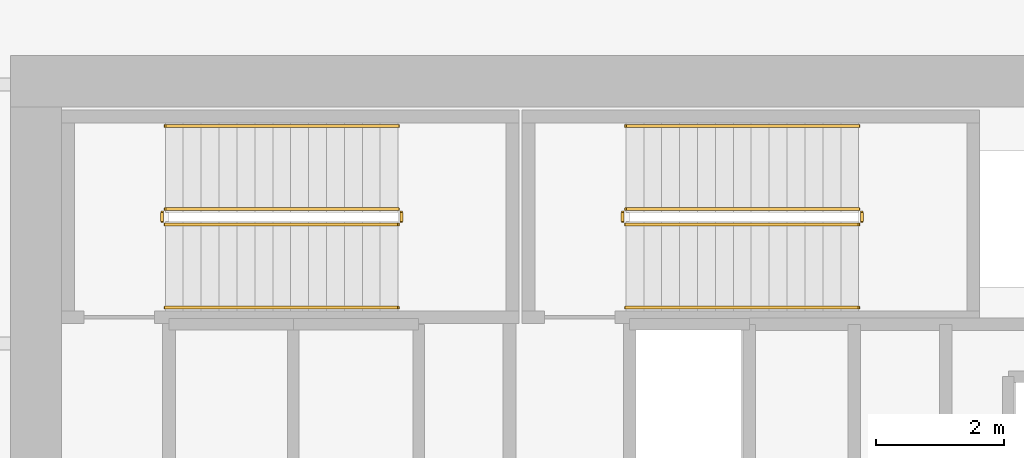
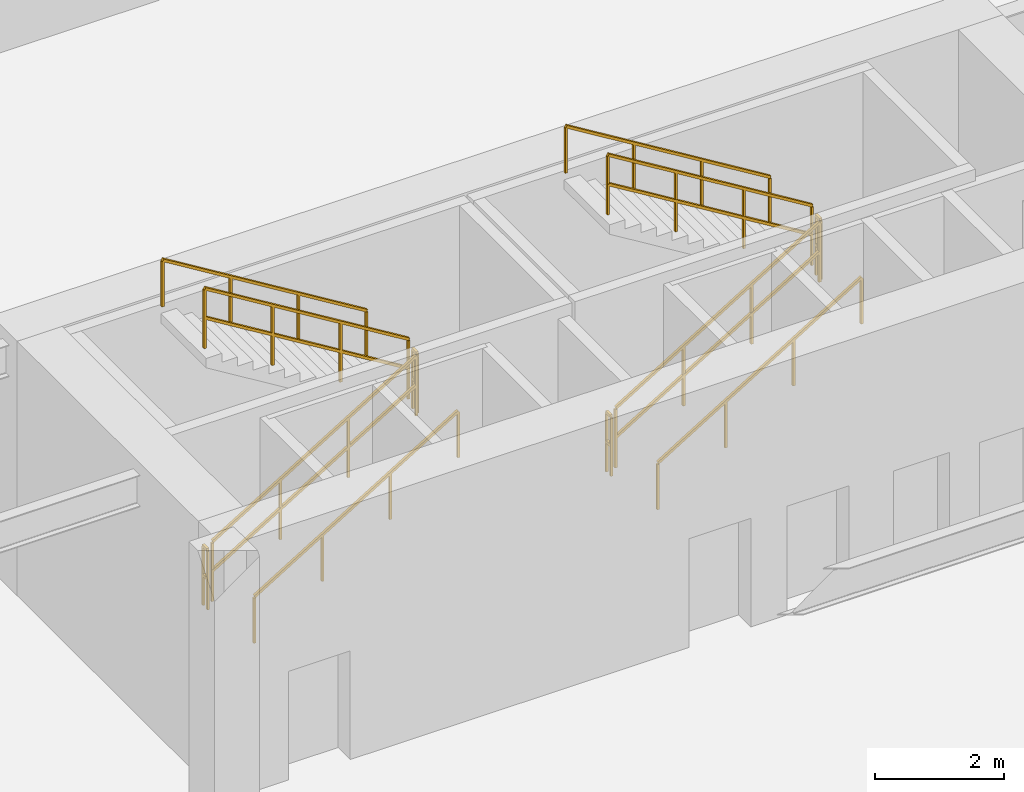
# One storey, part 7 of 10: 12 railings.
"""IFC4 building model written with IfcOpenShell, lengths in metres."""

import ifcopenshell
import ifcopenshell.guid

model = None  # the IFC model being written
_history = None  # IfcOwnerHistory: only IFC2X3 demands one
_inside = {}  # id of a spatial element -> (the spatial element, [elements in it])
_under = {}  # id of a project, library or spatial element -> (it, [spatial elements below it])
_declared = {}  # id of a project -> (the project, [libraries it declares])
_typed = {}  # id of a type object -> (the type object, [elements of that type])
_made_of = {}  # id of a material, layer set ... -> (it, [elements and type objects made of it])


def new_model(schema):
    """Start an empty IFC model of exactly this schema.

    Asked for "IFC4X3", IfcOpenShell would pick the latest addendum, in which some entities
    have other attributes; the version numbers below select the first issue.
    IFC2X3 requires an IfcOwnerHistory on every rooted entity: one is made here for all.
    """
    global model, _history
    if schema == "IFC4X3":
        model = ifcopenshell.file(schema_version=(4, 3, 0, 0))
    else:
        model = ifcopenshell.file(schema=schema)
    _inside.clear()
    _under.clear()
    _declared.clear()
    _typed.clear()
    _made_of.clear()
    _history = None
    if model.schema == "IFC2X3":
        org = make("IfcOrganization", Name="unknown")
        user = make(
            "IfcPersonAndOrganization",
            ThePerson=make("IfcPerson", FamilyName="unknown"),
            TheOrganization=org,
        )
        app = make(
            "IfcApplication",
            ApplicationDeveloper=org,
            Version="unknown",
            ApplicationFullName="unknown",
            ApplicationIdentifier="unknown",
        )
        _history = make(
            "IfcOwnerHistory",
            OwningUser=user,
            OwningApplication=app,
            ChangeAction="ADDED",
            CreationDate=0,
        )
    return model


def make(cls, **values):
    """One entity of the class cls with the attributes given. An attribute that is None is left unset."""
    return model.create_entity(
        cls, **{name: value for name, value in values.items() if value is not None}
    )


def rooted(cls, **values):
    """An entity with a GlobalId (a new one), such as an element, a storey or a relation."""
    return make(cls, GlobalId=ifcopenshell.guid.new(), OwnerHistory=_history, **values)


def si_unit(unit_type, name, prefix=None):
    """IfcSIUnit, for example si_unit("LENGTHUNIT", "METRE", prefix="MILLI")."""
    return make("IfcSIUnit", UnitType=unit_type, Prefix=prefix, Name=name)


def assignment(units):
    """IfcUnitAssignment: the units of a project."""
    return None if units is None else make("IfcUnitAssignment", Units=units)


def point(xyz):
    """IfcCartesianPoint."""
    return None if xyz is None else make("IfcCartesianPoint", Coordinates=xyz)


def direction(xyz):
    """IfcDirection."""
    return None if xyz is None else make("IfcDirection", DirectionRatios=xyz)


def frame(location, z_axis=None, x_axis=None):
    """IfcAxis2Placement3D, a coordinate frame: its origin and axes. An axis left out is left unset."""
    return make(
        "IfcAxis2Placement3D",
        Location=point(location),
        Axis=direction(z_axis),
        RefDirection=direction(x_axis),
    )


def frame_2d(location, x_axis=None):
    """IfcAxis2Placement2D, a coordinate frame in the plane: its origin and x axis."""
    return make(
        "IfcAxis2Placement2D", Location=point(location), RefDirection=direction(x_axis)
    )


def origin():
    """The frame at (0, 0, 0) with its axes left unset."""
    return frame((0.0, 0.0, 0.0))


def origin_2d():
    """The frame at (0, 0) in the plane with its x axis left unset."""
    return frame_2d((0.0, 0.0))


def place(relative_to, where):
    """IfcLocalPlacement: puts the frame where relative to a parent placement (None: the world)."""
    return make(
        "IfcLocalPlacement", PlacementRelTo=relative_to, RelativePlacement=where
    )


def context(
    kind, dimensions, precision=None, world=None, true_north=None, identifier=None
):
    """IfcGeometricRepresentationContext, for example the 3D "Model" context."""
    return make(
        "IfcGeometricRepresentationContext",
        ContextIdentifier=identifier,
        ContextType=kind,
        CoordinateSpaceDimension=dimensions,
        Precision=precision,
        WorldCoordinateSystem=world,
        TrueNorth=true_north,
    )


def subcontext(parent, identifier, kind, view, scale=None):
    """IfcGeometricRepresentationSubContext, for example "Body" below "Model"."""
    return make(
        "IfcGeometricRepresentationSubContext",
        ContextIdentifier=identifier,
        ContextType=kind,
        ParentContext=parent,
        TargetScale=scale,
        TargetView=view,
    )


def project(units=None, contexts=None):
    """IfcProject with its units and contexts."""
    return rooted(
        "IfcProject",
        Name="project",
        RepresentationContexts=contexts,
        UnitsInContext=assignment(units),
    )


def spatial(cls, under=None, at=None, **own):
    """A site, building, storey or space (cls), placed at a placement, below another one or the project."""
    s = rooted(cls, ObjectPlacement=at, **own)
    if under is not None:
        _under.setdefault(under.id(), (under, []))[1].append(s)
    return s


def profile(cls, at=None, kind="AREA", **sizes):
    """A parametric profile (cls). Its sizes go by their IFC names, for example OverallWidth=200.0."""
    return make(cls, ProfileType=kind, Position=at, **sizes)


def rectangle(**sizes):
    """IfcRectangleProfileDef."""
    return profile("IfcRectangleProfileDef", **sizes)


def extrude(swept, where, along, depth):
    """IfcExtrudedAreaSolid: the profile swept, set in the frame where, extruded along a direction by depth."""
    return make(
        "IfcExtrudedAreaSolid",
        SweptArea=swept,
        Position=where,
        ExtrudedDirection=direction(along),
        Depth=depth,
    )


def shape(context_of_items, identifier, shape_type, items):
    """IfcShapeRepresentation: the items that make up one representation, for example the "Body"."""
    return make(
        "IfcShapeRepresentation",
        ContextOfItems=context_of_items,
        RepresentationIdentifier=identifier,
        RepresentationType=shape_type,
        Items=items,
    )


def material(Name=None, Category=None):
    """IfcMaterial."""
    return make("IfcMaterial", Name=Name, Category=Category)


def made_of(thing, what):
    """Note that an element or type object is made of a material, layer set ...; save() writes the relation."""
    if what is not None:
        _made_of.setdefault(what.id(), (what, []))[1].append(thing)
    return thing


def type_object(cls, material=None, **own):
    """A type object (cls), such as IfcWallType, which elements share."""
    return made_of(rooted(cls, **own), material)


def element(
    cls,
    number,
    at=None,
    inside=None,
    cuts=None,
    type_object=None,
    material=None,
    context=None,
    identifier="Body",
    shape_type=None,
    held_by="IfcProductDefinitionShape",
    body=None,
    shapes=None,
    **own,
):
    """One element of the class cls, such as IfcWall. Its Tag is "e" and its number.

    at: its placement. inside: the storey or other place that contains it. cuts: it is an
    opening in that element (IfcRelVoidsElement). A single representation is given by context,
    identifier, shape_type and body (its items); several are given by shapes. held_by: the class
    of the entity that holds the representations. save() writes the other relations.
    """
    e = rooted(cls, Tag="e%d" % number, ObjectPlacement=at, **own)
    if body is not None:
        shapes = [shape(context, identifier, shape_type, body)]
    if shapes is not None:
        e.Representation = make(held_by, Representations=shapes)
    if inside is not None:
        _inside.setdefault(inside.id(), (inside, []))[1].append(e)
    if cuts is not None:
        rooted(
            "IfcRelVoidsElement", RelatingBuildingElement=cuts, RelatedOpeningElement=e
        )
    if type_object is not None:
        _typed.setdefault(type_object.id(), (type_object, []))[1].append(e)
    return made_of(e, material)


def aggregate(whole, parts):
    """IfcRelAggregates: a whole, such as a stair, and the parts it consists of."""
    return rooted("IfcRelAggregates", RelatingObject=whole, RelatedObjects=parts)


def save(model, path):
    """Write the relations noted so far, then the file.

    IfcRelAggregates (storeys below a building ...), IfcRelContainedInSpatialStructure (elements
    in a storey), IfcRelDefinesByType, IfcRelAssociatesMaterial and IfcRelDeclares: one each for
    every whole, place, type object, material and project.
    """
    for whole, parts in _under.values():
        aggregate(whole, parts)
    for where, things in _inside.values():
        rooted(
            "IfcRelContainedInSpatialStructure",
            RelatedElements=things,
            RelatingStructure=where,
        )
    for kind, things in _typed.values():
        rooted("IfcRelDefinesByType", RelatedObjects=things, RelatingType=kind)
    for what, things in _made_of.values():
        rooted("IfcRelAssociatesMaterial", RelatedObjects=things, RelatingMaterial=what)
    for by, libraries in _declared.values():
        rooted("IfcRelDeclares", RelatingContext=by, RelatedDefinitions=libraries)
    model.write(path)


model = new_model("IFC4")

# Units and contexts
model_context = context("Model", 3, precision=1e-05, world=origin(), true_north=direction((0.0, 1.0)))
body_context = subcontext(model_context, "Body", "Model", "MODEL_VIEW")
ifc_project = project(units=[si_unit("LENGTHUNIT", "METRE"), si_unit("AREAUNIT", "SQUARE_METRE"), si_unit("VOLUMEUNIT", "CUBIC_METRE"), si_unit("PLANEANGLEUNIT", "RADIAN"), si_unit("MASSUNIT", "GRAM", prefix="KILO"), si_unit("THERMODYNAMICTEMPERATUREUNIT", "KELVIN"), si_unit("POWERUNIT", "WATT")], contexts=[model_context])

# Site, building, storey
site_placement = place(None, origin())
site = spatial("IfcSite", under=ifc_project, at=site_placement, CompositionType="ELEMENT")
building_placement = place(site_placement, origin())
building = spatial("IfcBuilding", under=site, at=building_placement, Name="Qiaomeng Ring Towers", CompositionType="ELEMENT")
storey_placement = place(building_placement, frame((0.0, 0.0, -4.800048828125)))
storey = spatial("IfcBuildingStorey", under=building, at=storey_placement, Name="B1", CompositionType="ELEMENT", Elevation=-4.800048828125)

# Railings
ifc_material_1 = material(Name="Galvanised steel", Category="steel")
railing_type_1 = type_object("IfcRailingType", Name="ARC-RL-GUARD", PredefinedType="GUARDRAIL", material=ifc_material_1)
railing_1_placement = place(storey_placement, frame((12.6201171875, 14.360107421875, 0.17138671875)))
element("IfcRailing", 1, at=railing_1_placement, inside=storey, type_object=railing_type_1, Name="B1 ST3 stair guard 1", PredefinedType="GUARDRAIL", context=body_context, shape_type="SweptSolid", body=[
    extrude(rectangle(XDim=0.048095703125, YDim=0.048095703125, at=origin_2d()), frame((0.0, 0.0, 1.1259765625), z_axis=(0.852824790078, 0.0, 0.522197163366), x_axis=(0.0, 1.0, 0.0)), (0.0, 0.0, 1.0), 4.26806640625),
    extrude(rectangle(XDim=0.048095703125, YDim=0.048095703125, at=origin_2d()), frame((0.0, 0.0, 0.574951171875), z_axis=(0.852824790078, 0.0, 0.522197163366), x_axis=(0.0, 1.0, 0.0)), (0.0, 0.0, 1.0), 4.26806640625),
    extrude(rectangle(XDim=0.0419921875, YDim=0.0419921875, at=origin_2d()), origin(), (0.0, 0.0, 1.0), 1.101806640625),
    extrude(rectangle(XDim=0.0419921875, YDim=0.0419921875, at=origin_2d()), frame((1.21337890625, 0.0, 0.742919921875)), (0.0, 0.0, 1.0), 1.101806640625),
    extrude(rectangle(XDim=0.0419921875, YDim=0.0419921875, at=origin_2d()), frame((2.426513671875, 0.0, 1.48583984375)), (0.0, 0.0, 1.0), 1.101806640625),
    extrude(rectangle(XDim=0.0419921875, YDim=0.0419921875, at=origin_2d()), frame((3.639892578125, 0.0, 2.228759765625)), (0.0, 0.0, 1.0), 1.101806640625),
])
railing_2_placement = place(storey_placement, frame((16.31005859375, 14.409912109375, 2.400146484375)))
element("IfcRailing", 2, at=railing_2_placement, inside=storey, type_object=railing_type_1, Name="B1 ST3 stair guard 2", PredefinedType="GUARDRAIL", context=body_context, shape_type="SweptSolid", body=[
    extrude(rectangle(XDim=0.048095703125, YDim=0.048095703125, at=origin_2d()), frame((0.0, 0.0, 1.1259765625), z_axis=(0.0, 1.0, 0.0), x_axis=(-1.0, 0.0, 0.0)), (0.0, 0.0, 1.0), 0.14013671875),
    extrude(rectangle(XDim=0.048095703125, YDim=0.048095703125, at=origin_2d()), frame((0.0, 0.0, 0.574951171875), z_axis=(0.0, 1.0, 0.0), x_axis=(-1.0, 0.0, 0.0)), (0.0, 0.0, 1.0), 0.14013671875),
    extrude(rectangle(XDim=0.0419921875, YDim=0.0419921875, at=origin_2d()), origin(), (0.0, 0.0, 1.0), 1.101806640625),
    extrude(rectangle(XDim=0.0419921875, YDim=0.0419921875, at=origin_2d()), frame((0.0, 0.14013671875, 0.0)), (0.0, 0.0, 1.0), 1.101806640625),
])
railing_3_placement = place(storey_placement, frame((16.260009765625, 14.60009765625, 2.571533203125)))
element("IfcRailing", 3, at=railing_3_placement, inside=storey, type_object=railing_type_1, Name="B1 ST3 stair guard 3", PredefinedType="GUARDRAIL", context=body_context, shape_type="SweptSolid", body=[
    extrude(rectangle(XDim=0.048095703125, YDim=0.048095703125, at=origin_2d()), frame((0.0, 0.0, 1.1259765625), z_axis=(-0.852850264322, 0.0, 0.5221555579), x_axis=(0.0, -1.0, 0.0)), (0.0, 0.0, 1.0), 4.267822265625),
    extrude(rectangle(XDim=0.048095703125, YDim=0.048095703125, at=origin_2d()), frame((0.0, 0.0, 0.574951171875), z_axis=(-0.852850264322, 0.0, 0.5221555579), x_axis=(0.0, -1.0, 0.0)), (0.0, 0.0, 1.0), 4.267822265625),
    extrude(rectangle(XDim=0.0419921875, YDim=0.0419921875, at=origin_2d()), origin(), (0.0, 0.0, 1.0), 1.101806640625),
    extrude(rectangle(XDim=0.0419921875, YDim=0.0419921875, at=origin_2d()), frame((-1.21337890625, 0.0, 0.742919921875)), (0.0, 0.0, 1.0), 1.101806640625),
    extrude(rectangle(XDim=0.0419921875, YDim=0.0419921875, at=origin_2d()), frame((-2.426513671875, 0.0, 1.485595703125)), (0.0, 0.0, 1.0), 1.101806640625),
    extrude(rectangle(XDim=0.0419921875, YDim=0.0419921875, at=origin_2d()), frame((-3.639892578125, 0.0, 2.228515625)), (0.0, 0.0, 1.0), 1.101806640625),
])
railing_4_placement = place(storey_placement, frame((12.570068359375, 14.409912109375, 0.0)))
element("IfcRailing", 4, at=railing_4_placement, inside=storey, type_object=railing_type_1, Name="B1 ST3 stair guard 4", PredefinedType="GUARDRAIL", context=body_context, shape_type="SweptSolid", body=[
    extrude(rectangle(XDim=0.048095703125, YDim=0.048095703125, at=origin_2d()), frame((0.0, 0.0, 1.1259765625), z_axis=(0.0, 1.0, 0.0), x_axis=(-1.0, 0.0, 0.0)), (0.0, 0.0, 1.0), 0.14013671875),
    extrude(rectangle(XDim=0.048095703125, YDim=0.048095703125, at=origin_2d()), frame((0.0, 0.0, 0.574951171875), z_axis=(0.0, 1.0, 0.0), x_axis=(-1.0, 0.0, 0.0)), (0.0, 0.0, 1.0), 0.14013671875),
    extrude(rectangle(XDim=0.0419921875, YDim=0.0419921875, at=origin_2d()), origin(), (0.0, 0.0, 1.0), 1.101806640625),
    extrude(rectangle(XDim=0.0419921875, YDim=0.0419921875, at=origin_2d()), frame((0.0, 0.14013671875, 0.0)), (0.0, 0.0, 1.0), 1.101806640625),
])
railing_5_placement = place(storey_placement, frame((19.820068359375, 14.360107421875, 0.17138671875)))
element("IfcRailing", 5, at=railing_5_placement, inside=storey, type_object=railing_type_1, Name="B1 ST4 stair guard 1", PredefinedType="GUARDRAIL", context=body_context, shape_type="SweptSolid", body=[
    extrude(rectangle(XDim=0.048095703125, YDim=0.048095703125, at=origin_2d()), frame((0.0, 0.0, 1.1259765625), z_axis=(0.852824790078, 0.0, 0.522197163366), x_axis=(0.0, 1.0, 0.0)), (0.0, 0.0, 1.0), 4.26806640625),
    extrude(rectangle(XDim=0.048095703125, YDim=0.048095703125, at=origin_2d()), frame((0.0, 0.0, 0.574951171875), z_axis=(0.852824790078, 0.0, 0.522197163366), x_axis=(0.0, 1.0, 0.0)), (0.0, 0.0, 1.0), 4.26806640625),
    extrude(rectangle(XDim=0.0419921875, YDim=0.0419921875, at=origin_2d()), origin(), (0.0, 0.0, 1.0), 1.101806640625),
    extrude(rectangle(XDim=0.0419921875, YDim=0.0419921875, at=origin_2d()), frame((1.21337890625, 0.0, 0.742919921875)), (0.0, 0.0, 1.0), 1.101806640625),
    extrude(rectangle(XDim=0.0419921875, YDim=0.0419921875, at=origin_2d()), frame((2.426513671875, 0.0, 1.48583984375)), (0.0, 0.0, 1.0), 1.101806640625),
    extrude(rectangle(XDim=0.0419921875, YDim=0.0419921875, at=origin_2d()), frame((3.639892578125, 0.0, 2.228759765625)), (0.0, 0.0, 1.0), 1.101806640625),
])
railing_6_placement = place(storey_placement, frame((23.510009765625, 14.409912109375, 2.400146484375)))
element("IfcRailing", 6, at=railing_6_placement, inside=storey, type_object=railing_type_1, Name="B1 ST4 stair guard 2", PredefinedType="GUARDRAIL", context=body_context, shape_type="SweptSolid", body=[
    extrude(rectangle(XDim=0.048095703125, YDim=0.048095703125, at=origin_2d()), frame((0.0, 0.0, 1.1259765625), z_axis=(0.0, 1.0, 0.0), x_axis=(-1.0, 0.0, 0.0)), (0.0, 0.0, 1.0), 0.14013671875),
    extrude(rectangle(XDim=0.048095703125, YDim=0.048095703125, at=origin_2d()), frame((0.0, 0.0, 0.574951171875), z_axis=(0.0, 1.0, 0.0), x_axis=(-1.0, 0.0, 0.0)), (0.0, 0.0, 1.0), 0.14013671875),
    extrude(rectangle(XDim=0.0419921875, YDim=0.0419921875, at=origin_2d()), origin(), (0.0, 0.0, 1.0), 1.101806640625),
    extrude(rectangle(XDim=0.0419921875, YDim=0.0419921875, at=origin_2d()), frame((0.0, 0.14013671875, 0.0)), (0.0, 0.0, 1.0), 1.101806640625),
])
railing_7_placement = place(storey_placement, frame((23.4599609375, 14.60009765625, 2.571533203125)))
element("IfcRailing", 7, at=railing_7_placement, inside=storey, type_object=railing_type_1, Name="B1 ST4 stair guard 3", PredefinedType="GUARDRAIL", context=body_context, shape_type="SweptSolid", body=[
    extrude(rectangle(XDim=0.048095703125, YDim=0.048095703125, at=origin_2d()), frame((0.0, 0.0, 1.1259765625), z_axis=(-0.852850264322, 0.0, 0.5221555579), x_axis=(0.0, -1.0, 0.0)), (0.0, 0.0, 1.0), 4.267822265625),
    extrude(rectangle(XDim=0.048095703125, YDim=0.048095703125, at=origin_2d()), frame((0.0, 0.0, 0.574951171875), z_axis=(-0.852850264322, 0.0, 0.5221555579), x_axis=(0.0, -1.0, 0.0)), (0.0, 0.0, 1.0), 4.267822265625),
    extrude(rectangle(XDim=0.0419921875, YDim=0.0419921875, at=origin_2d()), origin(), (0.0, 0.0, 1.0), 1.101806640625),
    extrude(rectangle(XDim=0.0419921875, YDim=0.0419921875, at=origin_2d()), frame((-1.21337890625, 0.0, 0.742919921875)), (0.0, 0.0, 1.0), 1.101806640625),
    extrude(rectangle(XDim=0.0419921875, YDim=0.0419921875, at=origin_2d()), frame((-2.426513671875, 0.0, 1.485595703125)), (0.0, 0.0, 1.0), 1.101806640625),
    extrude(rectangle(XDim=0.0419921875, YDim=0.0419921875, at=origin_2d()), frame((-3.639892578125, 0.0, 2.228515625)), (0.0, 0.0, 1.0), 1.101806640625),
])
railing_8_placement = place(storey_placement, frame((19.77001953125, 14.409912109375, 0.0)))
element("IfcRailing", 8, at=railing_8_placement, inside=storey, type_object=railing_type_1, Name="B1 ST4 stair guard 4", PredefinedType="GUARDRAIL", context=body_context, shape_type="SweptSolid", body=[
    extrude(rectangle(XDim=0.048095703125, YDim=0.048095703125, at=origin_2d()), frame((0.0, 0.0, 1.1259765625), z_axis=(0.0, 1.0, 0.0), x_axis=(-1.0, 0.0, 0.0)), (0.0, 0.0, 1.0), 0.14013671875),
    extrude(rectangle(XDim=0.048095703125, YDim=0.048095703125, at=origin_2d()), frame((0.0, 0.0, 0.574951171875), z_axis=(0.0, 1.0, 0.0), x_axis=(-1.0, 0.0, 0.0)), (0.0, 0.0, 1.0), 0.14013671875),
    extrude(rectangle(XDim=0.0419921875, YDim=0.0419921875, at=origin_2d()), origin(), (0.0, 0.0, 1.0), 1.101806640625),
    extrude(rectangle(XDim=0.0419921875, YDim=0.0419921875, at=origin_2d()), frame((0.0, 0.14013671875, 0.0)), (0.0, 0.0, 1.0), 1.101806640625),
])
ifc_material_2 = material(Name="Stainless steel 316", Category="steel")
railing_type_2 = type_object("IfcRailingType", Name="ARC-RL-HAND", PredefinedType="HANDRAIL", material=ifc_material_2)
railing_9_placement = place(storey_placement, frame((12.6201171875, 13.06005859375, 0.17138671875)))
element("IfcRailing", 9, at=railing_9_placement, inside=storey, type_object=railing_type_2, Name="B1 ST3 stair handrail 1", PredefinedType="HANDRAIL", context=body_context, shape_type="SweptSolid", body=[
    extrude(rectangle(XDim=0.048095703125, YDim=0.048095703125, at=origin_2d()), frame((0.0, 0.0, 0.8759765625), z_axis=(0.852824790078, 0.0, 0.522197163366), x_axis=(0.0, 1.0, 0.0)), (0.0, 0.0, 1.0), 4.26806640625),
    extrude(rectangle(XDim=0.0419921875, YDim=0.0419921875, at=origin_2d()), origin(), (0.0, 0.0, 1.0), 0.851806640625),
    extrude(rectangle(XDim=0.0419921875, YDim=0.0419921875, at=origin_2d()), frame((1.21337890625, 0.0, 0.742919921875)), (0.0, 0.0, 1.0), 0.851806640625),
    extrude(rectangle(XDim=0.0419921875, YDim=0.0419921875, at=origin_2d()), frame((2.426513671875, 0.0, 1.48583984375)), (0.0, 0.0, 1.0), 0.851806640625),
    extrude(rectangle(XDim=0.0419921875, YDim=0.0419921875, at=origin_2d()), frame((3.639892578125, 0.0, 2.228759765625)), (0.0, 0.0, 1.0), 0.851806640625),
])
railing_10_placement = place(storey_placement, frame((16.260009765625, 15.89990234375, 2.571533203125)))
element("IfcRailing", 10, at=railing_10_placement, inside=storey, type_object=railing_type_2, Name="B1 ST3 stair handrail 2", PredefinedType="HANDRAIL", context=body_context, shape_type="SweptSolid", body=[
    extrude(rectangle(XDim=0.048095703125, YDim=0.048095703125, at=origin_2d()), frame((0.0, 0.0, 0.8759765625), z_axis=(-0.852850264322, 0.0, 0.5221555579), x_axis=(0.0, -1.0, 0.0)), (0.0, 0.0, 1.0), 4.267822265625),
    extrude(rectangle(XDim=0.0419921875, YDim=0.0419921875, at=origin_2d()), origin(), (0.0, 0.0, 1.0), 0.851806640625),
    extrude(rectangle(XDim=0.0419921875, YDim=0.0419921875, at=origin_2d()), frame((-1.21337890625, 0.0, 0.742919921875)), (0.0, 0.0, 1.0), 0.851806640625),
    extrude(rectangle(XDim=0.0419921875, YDim=0.0419921875, at=origin_2d()), frame((-2.426513671875, 0.0, 1.485595703125)), (0.0, 0.0, 1.0), 0.851806640625),
    extrude(rectangle(XDim=0.0419921875, YDim=0.0419921875, at=origin_2d()), frame((-3.639892578125, 0.0, 2.228515625)), (0.0, 0.0, 1.0), 0.851806640625),
])
railing_11_placement = place(storey_placement, frame((19.820068359375, 13.06005859375, 0.17138671875)))
element("IfcRailing", 11, at=railing_11_placement, inside=storey, type_object=railing_type_2, Name="B1 ST4 stair handrail 1", PredefinedType="HANDRAIL", context=body_context, shape_type="SweptSolid", body=[
    extrude(rectangle(XDim=0.048095703125, YDim=0.048095703125, at=origin_2d()), frame((0.0, 0.0, 0.8759765625), z_axis=(0.852824790078, 0.0, 0.522197163366), x_axis=(0.0, 1.0, 0.0)), (0.0, 0.0, 1.0), 4.26806640625),
    extrude(rectangle(XDim=0.0419921875, YDim=0.0419921875, at=origin_2d()), origin(), (0.0, 0.0, 1.0), 0.851806640625),
    extrude(rectangle(XDim=0.0419921875, YDim=0.0419921875, at=origin_2d()), frame((1.21337890625, 0.0, 0.742919921875)), (0.0, 0.0, 1.0), 0.851806640625),
    extrude(rectangle(XDim=0.0419921875, YDim=0.0419921875, at=origin_2d()), frame((2.426513671875, 0.0, 1.48583984375)), (0.0, 0.0, 1.0), 0.851806640625),
    extrude(rectangle(XDim=0.0419921875, YDim=0.0419921875, at=origin_2d()), frame((3.639892578125, 0.0, 2.228759765625)), (0.0, 0.0, 1.0), 0.851806640625),
])
railing_12_placement = place(storey_placement, frame((23.4599609375, 15.89990234375, 2.571533203125)))
element("IfcRailing", 12, at=railing_12_placement, inside=storey, type_object=railing_type_2, Name="B1 ST4 stair handrail 2", PredefinedType="HANDRAIL", context=body_context, shape_type="SweptSolid", body=[
    extrude(rectangle(XDim=0.048095703125, YDim=0.048095703125, at=origin_2d()), frame((0.0, 0.0, 0.8759765625), z_axis=(-0.852850264322, 0.0, 0.5221555579), x_axis=(0.0, -1.0, 0.0)), (0.0, 0.0, 1.0), 4.267822265625),
    extrude(rectangle(XDim=0.0419921875, YDim=0.0419921875, at=origin_2d()), origin(), (0.0, 0.0, 1.0), 0.851806640625),
    extrude(rectangle(XDim=0.0419921875, YDim=0.0419921875, at=origin_2d()), frame((-1.21337890625, 0.0, 0.742919921875)), (0.0, 0.0, 1.0), 0.851806640625),
    extrude(rectangle(XDim=0.0419921875, YDim=0.0419921875, at=origin_2d()), frame((-2.426513671875, 0.0, 1.485595703125)), (0.0, 0.0, 1.0), 0.851806640625),
    extrude(rectangle(XDim=0.0419921875, YDim=0.0419921875, at=origin_2d()), frame((-3.639892578125, 0.0, 2.228515625)), (0.0, 0.0, 1.0), 0.851806640625),
])

save(model, "model.ifc")
